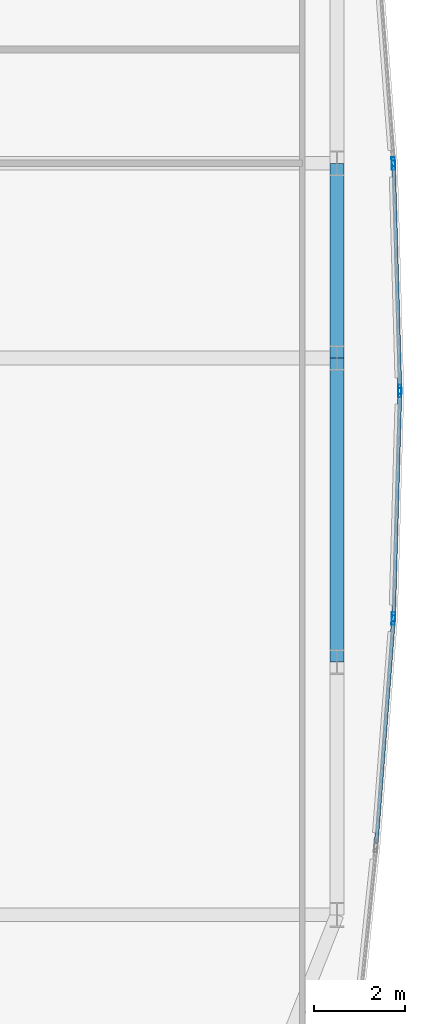
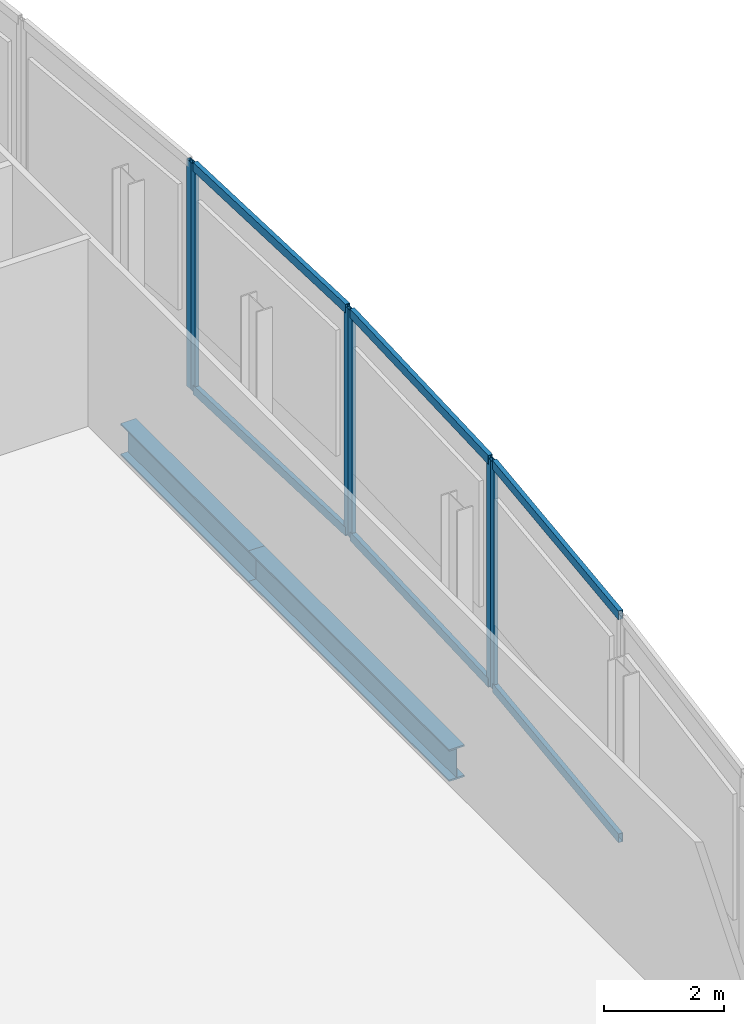
# One storey, part 22 of 32: 12 members, 2 beams, 4 elements without a shape of their own.
"""IFC4 building model written with IfcOpenShell, lengths in metres."""

from ifc_helpers import new_model, si_unit, direction, frame, origin, origin_2d, place, context, subcontext, project, spatial, hollow_rectangle, i_section, extrude, material, material_profile, profile_set, type_object, element, aggregate, save


model = new_model("IFC4")

# Units and contexts
model_context = context("Model", 3, precision=1e-05, world=origin(), true_north=direction((0.0, 1.0)))
body_context = subcontext(model_context, "Body", "Model", "MODEL_VIEW")
ifc_project = project(units=[si_unit("LENGTHUNIT", "METRE"), si_unit("AREAUNIT", "SQUARE_METRE"), si_unit("VOLUMEUNIT", "CUBIC_METRE"), si_unit("PLANEANGLEUNIT", "RADIAN"), si_unit("MASSUNIT", "GRAM", prefix="KILO")], contexts=[model_context])

# Site, building, storey
site_placement = place(None, origin())
site = spatial("IfcSite", under=ifc_project, at=site_placement, CompositionType="ELEMENT")
building_placement = place(site_placement, origin())
building = spatial("IfcBuilding", under=site, at=building_placement, Name="Khoronbel Lancet Exchange", CompositionType="ELEMENT")
storey_placement = place(building_placement, frame((0.0, 0.0, 85.800048828125)))
storey = spatial("IfcBuildingStorey", under=building, at=storey_placement, Name="L20", CompositionType="ELEMENT", Elevation=85.800048828125)

# Beams
ifc_material_1 = material(Name="Steel S355", Category="steel")
ifc_material_profile_1 = material_profile(ifc_material_1, i_section(OverallWidth=0.300048828125, OverallDepth=0.64990234375, WebThickness=0.01611328125, FlangeThickness=0.031005859375, at=origin_2d()), Name="HEB 650")
ifc_profile_set_1 = profile_set([ifc_material_profile_1], Name="Steel S355")
beam_type = type_object("IfcBeamType", Name="BM-BSP1", PredefinedType="SPANDREL", material=ifc_profile_set_1)
beam_1_placement = place(storey_placement, frame((69.6298828125, 24.75, -0.545166015625), z_axis=(0.0, 1.0, 0.0), x_axis=(-1.0, 0.0, 0.0)))
element("IfcBeam", 1, at=beam_1_placement, inside=storey, type_object=beam_type, Name="Level L20 perimeter spandrel beam SP12", PredefinedType="SPANDREL", context=body_context, shape_type="SweptSolid", body=[
    extrude(i_section(OverallWidth=0.300048828125, OverallDepth=0.64990234375, WebThickness=0.01611328125, FlangeThickness=0.031005859375, at=origin_2d()), origin(), (0.0, 0.0, 1.0), 6.675048828125),
])
beam_2_placement = place(storey_placement, frame((69.6298828125, 31.425048828125, -0.545166015625), z_axis=(0.0, 1.0, 0.0), x_axis=(-1.0, 0.0, 0.0)))
element("IfcBeam", 2, at=beam_2_placement, inside=storey, type_object=beam_type, Name="Level L20 perimeter spandrel beam SP13", PredefinedType="SPANDREL", context=body_context, shape_type="SweptSolid", body=[
    extrude(i_section(OverallWidth=0.300048828125, OverallDepth=0.64990234375, WebThickness=0.01611328125, FlangeThickness=0.031005859375, at=origin_2d()), origin(), (0.0, 0.0, 1.0), 4.27490234375),
])

# Curtain wall, member
ifc_material_2 = material(Name="Low-E Solar Control Insulating Glass", Category="glass")
curtain_wall_type = type_object("IfcCurtainWallType", Name="CW-4", PredefinedType="NOTDEFINED", material=ifc_material_2)
curtain_wall_1_placement = place(storey_placement, origin())
curtain_wall_1 = element("IfcCurtainWall", 3, at=curtain_wall_1_placement, inside=storey, type_object=curtain_wall_type, Name="Unitised curtain wall CW-L20-E18", PredefinedType="NOTDEFINED")
ifc_material_3 = material(Name="Bronze-Anodised Aluminium 6063-T6", Category="aluminium")
ifc_material_profile_2 = material_profile(ifc_material_3, hollow_rectangle(XDim=0.074951171875, YDim=0.199951171875, WallThickness=0.0048828125, at=origin_2d()), Name="ALU MULLION 75x200")
ifc_profile_set_2 = profile_set([ifc_material_profile_2], Name="Bronze-Anodised Aluminium 6063-T6")
member_type_1 = type_object("IfcMemberType", Name="MEM-CWM2", PredefinedType="MULLION", material=ifc_profile_set_2)
member_1_placement = place(storey_placement, frame((70.866455078125, 35.732666015625, 0.0), z_axis=(0.0, 0.0, 1.0), x_axis=(0.997059882555, 0.076626304874, 0.0)))
member_1 = element("IfcMember", 4, at=member_1_placement, type_object=member_type_1, Name="CW4 mullion 2", PredefinedType="MULLION", context=body_context, shape_type="SweptSolid", body=[
    extrude(hollow_rectangle(XDim=0.074951171875, YDim=0.199951171875, WallThickness=0.0048828125, at=origin_2d()), origin(), (0.0, 0.0, 1.0), 4.619873046875),
])
aggregate(curtain_wall_1, [member_1])

# Curtain wall, members
curtain_wall_2_placement = place(storey_placement, origin())
curtain_wall_2 = element("IfcCurtainWall", 5, at=curtain_wall_2_placement, inside=storey, type_object=curtain_wall_type, Name="Unitised curtain wall CW-L20-E19", PredefinedType="NOTDEFINED")
member_2_placement = place(storey_placement, frame((70.870361328125, 35.65771484375, 0.0), z_axis=(0.0, 0.0, 1.0), x_axis=(0.999604123662, 0.028135315146, 0.0)))
member_2 = element("IfcMember", 6, at=member_2_placement, type_object=member_type_1, Name="CW4 mullion 1", PredefinedType="MULLION", context=body_context, shape_type="SweptSolid", body=[
    extrude(hollow_rectangle(XDim=0.074951171875, YDim=0.199951171875, WallThickness=0.0048828125, at=origin_2d()), origin(), (0.0, 0.0, 1.0), 4.619873046875),
])
member_3_placement = place(storey_placement, frame((71.009033203125, 30.737548828125, 0.0), z_axis=(0.0, 0.0, 1.0), x_axis=(0.999604123662, 0.028135315146, 0.0)))
member_3 = element("IfcMember", 7, at=member_3_placement, type_object=member_type_1, Name="CW4 mullion 2", PredefinedType="MULLION", context=body_context, shape_type="SweptSolid", body=[
    extrude(hollow_rectangle(XDim=0.074951171875, YDim=0.199951171875, WallThickness=0.0048828125, at=origin_2d()), origin(), (0.0, 0.0, 1.0), 4.619873046875),
])

curtain_wall_3_placement = place(storey_placement, origin())
curtain_wall_3 = element("IfcCurtainWall", 8, at=curtain_wall_3_placement, inside=storey, type_object=curtain_wall_type, Name="Unitised curtain wall CW-L20-E20", PredefinedType="NOTDEFINED")
member_4_placement = place(storey_placement, frame((71.009033203125, 30.66259765625, 0.0), z_axis=(0.0, 0.0, 1.0), x_axis=(0.999604123662, -0.028135315146, 0.0)))
member_4 = element("IfcMember", 9, at=member_4_placement, type_object=member_type_1, Name="CW4 mullion 1", PredefinedType="MULLION", context=body_context, shape_type="SweptSolid", body=[
    extrude(hollow_rectangle(XDim=0.074951171875, YDim=0.199951171875, WallThickness=0.0048828125, at=origin_2d()), origin(), (0.0, 0.0, 1.0), 4.619873046875),
])
member_5_placement = place(storey_placement, frame((70.870361328125, 25.7421875, 0.0), z_axis=(0.0, 0.0, 1.0), x_axis=(0.999604123662, -0.028135315146, 0.0)))
member_5 = element("IfcMember", 10, at=member_5_placement, type_object=member_type_1, Name="CW4 mullion 2", PredefinedType="MULLION", context=body_context, shape_type="SweptSolid", body=[
    extrude(hollow_rectangle(XDim=0.074951171875, YDim=0.199951171875, WallThickness=0.0048828125, at=origin_2d()), origin(), (0.0, 0.0, 1.0), 4.619873046875),
])

# Curtain wall, member
curtain_wall_4_placement = place(storey_placement, origin())
curtain_wall_4 = element("IfcCurtainWall", 11, at=curtain_wall_4_placement, inside=storey, type_object=curtain_wall_type, Name="Unitised curtain wall CW-L20-E21", PredefinedType="NOTDEFINED")
member_6_placement = place(storey_placement, frame((70.866455078125, 25.667236328125, 0.0), z_axis=(0.0, 0.0, 1.0), x_axis=(0.997059882555, -0.076626304874, 0.0)))
member_6 = element("IfcMember", 12, at=member_6_placement, type_object=member_type_1, Name="CW4 mullion 1", PredefinedType="MULLION", context=body_context, shape_type="SweptSolid", body=[
    extrude(hollow_rectangle(XDim=0.074951171875, YDim=0.199951171875, WallThickness=0.0048828125, at=origin_2d()), origin(), (0.0, 0.0, 1.0), 4.619873046875),
])

# Member
ifc_material_profile_3 = material_profile(ifc_material_3, hollow_rectangle(XDim=0.0849609375, YDim=0.179931640625, WallThickness=0.0048828125, at=origin_2d()), Name="ALU TRANSOM 85x180")
ifc_profile_set_3 = profile_set([ifc_material_profile_3], Name="Bronze-Anodised Aluminium 6063-T6")
member_type_2 = type_object("IfcMemberType", Name="MEM-CWT1", PredefinedType="USERDEFINED", material=ifc_profile_set_3)
member_7_placement = place(storey_placement, frame((70.87158203125, 35.620361328125, 0.04248046875), z_axis=(0.028103975057, -0.999605005283, 0.0), x_axis=(0.999605005283, 0.028103975057, 0.0)))
member_7 = element("IfcMember", 13, at=member_7_placement, type_object=member_type_2, Name="CW4 transom 1.1", ObjectType="TRANSOM", PredefinedType="USERDEFINED", context=body_context, shape_type="SweptSolid", body=[
    extrude(hollow_rectangle(XDim=0.0849609375, YDim=0.179931640625, WallThickness=0.0048828125, at=origin_2d()), origin(), (0.0, 0.0, 1.0), 4.847412109375),
])

member_8_placement = place(storey_placement, frame((70.87158203125, 35.620361328125, 4.577392578125), z_axis=(0.028103975057, -0.999605005283, 0.0), x_axis=(0.999605005283, 0.028103975057, 0.0)))
member_8 = element("IfcMember", 14, at=member_8_placement, type_object=member_type_2, Name="CW4 transom 1.2", ObjectType="TRANSOM", PredefinedType="USERDEFINED", context=body_context, shape_type="SweptSolid", body=[
    extrude(hollow_rectangle(XDim=0.0849609375, YDim=0.179931640625, WallThickness=0.0048828125, at=origin_2d()), origin(), (0.0, 0.0, 1.0), 4.847412109375),
])

aggregate(curtain_wall_2, [member_2, member_3, member_7, member_8])

member_9_placement = place(storey_placement, frame((71.0078125, 30.625, 0.04248046875), z_axis=(-0.028105390041, -0.999604965499, 0.0), x_axis=(0.999604965499, -0.028105390041, 0.0)))
member_9 = element("IfcMember", 15, at=member_9_placement, type_object=member_type_2, Name="CW4 transom 1.1", ObjectType="TRANSOM", PredefinedType="USERDEFINED", context=body_context, shape_type="SweptSolid", body=[
    extrude(hollow_rectangle(XDim=0.0849609375, YDim=0.179931640625, WallThickness=0.0048828125, at=origin_2d()), origin(), (0.0, 0.0, 1.0), 4.84716796875),
])

member_10_placement = place(storey_placement, frame((71.0078125, 30.625, 4.577392578125), z_axis=(-0.028105390041, -0.999604965499, 0.0), x_axis=(0.999604965499, -0.028105390041, 0.0)))
member_10 = element("IfcMember", 16, at=member_10_placement, type_object=member_type_2, Name="CW4 transom 1.2", ObjectType="TRANSOM", PredefinedType="USERDEFINED", context=body_context, shape_type="SweptSolid", body=[
    extrude(hollow_rectangle(XDim=0.0849609375, YDim=0.179931640625, WallThickness=0.0048828125, at=origin_2d()), origin(), (0.0, 0.0, 1.0), 4.84716796875),
])

aggregate(curtain_wall_3, [member_4, member_5, member_9, member_10])

member_11_placement = place(storey_placement, frame((70.86376953125, 25.6298828125, 0.04248046875), z_axis=(-0.076638891079, -0.997058915197, 0.0), x_axis=(0.997058915197, -0.076638891079, 0.0)))
member_11 = element("IfcMember", 17, at=member_11_placement, type_object=member_type_2, Name="CW4 transom 1.1", ObjectType="TRANSOM", PredefinedType="USERDEFINED", context=body_context, shape_type="SweptSolid", body=[
    extrude(hollow_rectangle(XDim=0.0849609375, YDim=0.179931640625, WallThickness=0.0048828125, at=origin_2d()), origin(), (0.0, 0.0, 1.0), 4.861328125),
])

member_12_placement = place(storey_placement, frame((70.86376953125, 25.6298828125, 4.577392578125), z_axis=(-0.076638891079, -0.997058915197, 0.0), x_axis=(0.997058915197, -0.076638891079, 0.0)))
member_12 = element("IfcMember", 18, at=member_12_placement, type_object=member_type_2, Name="CW4 transom 1.2", ObjectType="TRANSOM", PredefinedType="USERDEFINED", context=body_context, shape_type="SweptSolid", body=[
    extrude(hollow_rectangle(XDim=0.0849609375, YDim=0.179931640625, WallThickness=0.0048828125, at=origin_2d()), origin(), (0.0, 0.0, 1.0), 4.861328125),
])

aggregate(curtain_wall_4, [member_6, member_11, member_12])

save(model, "model.ifc")
